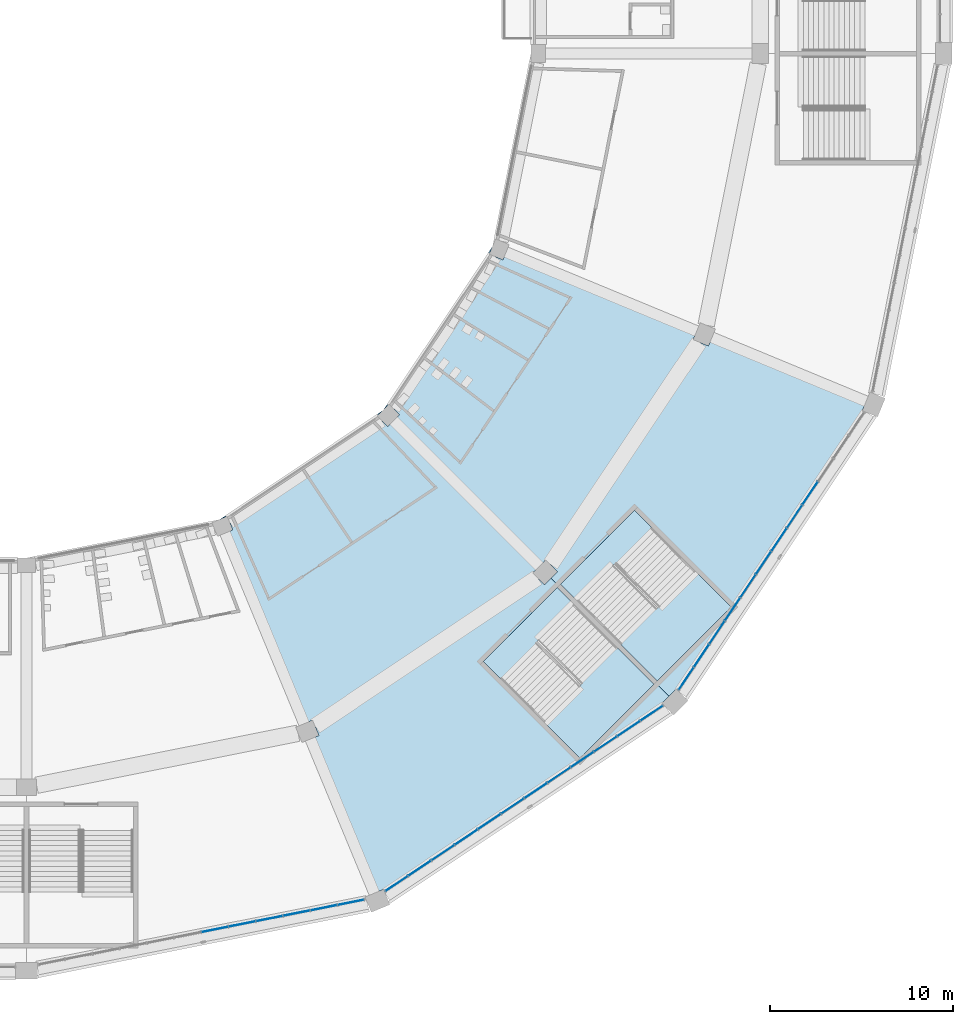
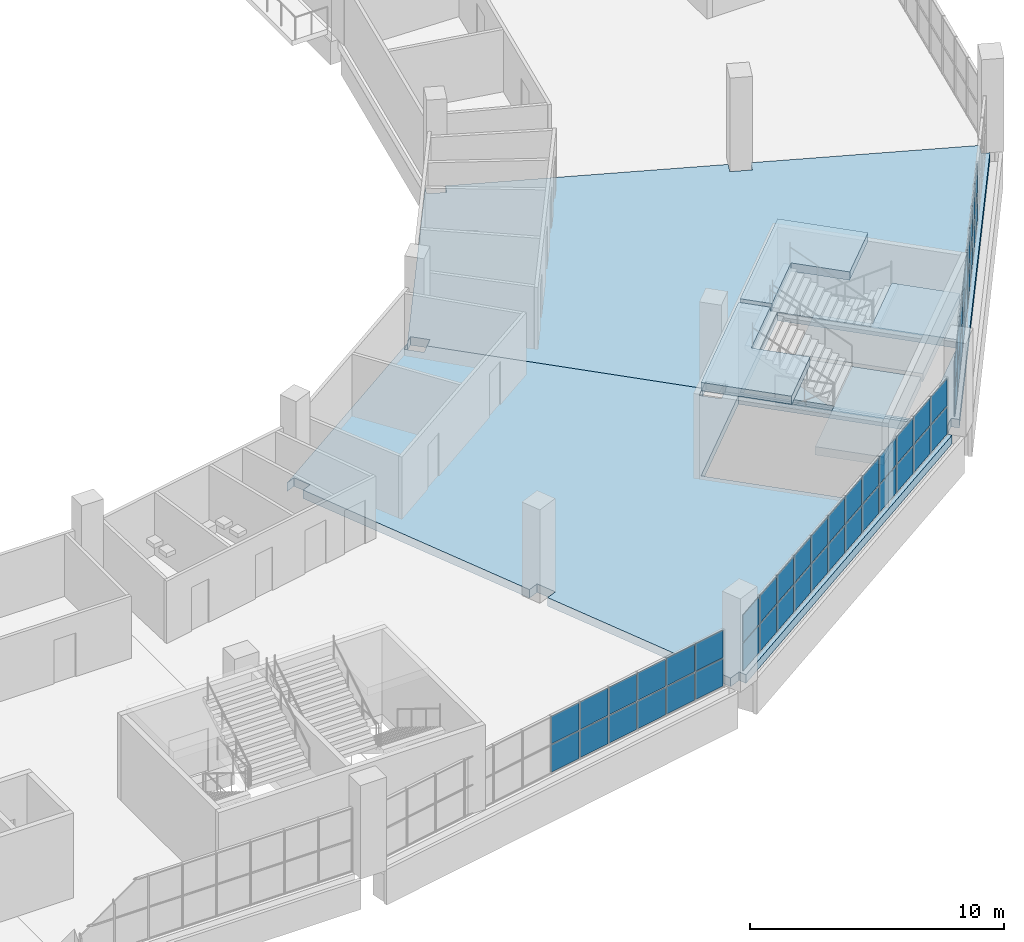
# One storey, part 62 of 199: 54 plates, 6 slabs, 5 elements without a shape of their own.
"""IFC4 building model written with IfcOpenShell, lengths in metres."""

from ifc_helpers import new_model, si_unit, direction, frame, origin, origin_2d, place, context, subcontext, project, spatial, polyline, rectangle, outline, extrude, material, layer, layer_set, type_object, element, aggregate, save


model = new_model("IFC4")

# Units and contexts
model_context = context("Model", 3, precision=1e-05, world=origin(), true_north=direction((0.0, 1.0)))
body_context = subcontext(model_context, "Body", "Model", "MODEL_VIEW")
ifc_project = project(units=[si_unit("LENGTHUNIT", "METRE"), si_unit("AREAUNIT", "SQUARE_METRE"), si_unit("VOLUMEUNIT", "CUBIC_METRE"), si_unit("PLANEANGLEUNIT", "RADIAN"), si_unit("MASSUNIT", "GRAM", prefix="KILO")], contexts=[model_context])

# Site, building, storey
site_placement = place(None, origin())
site = spatial("IfcSite", under=ifc_project, at=site_placement, CompositionType="ELEMENT")
building_placement = place(site_placement, origin())
building = spatial("IfcBuilding", under=site, at=building_placement, Name="Ogive Plaza Stadium", CompositionType="ELEMENT")
storey_placement = place(building_placement, frame((0.0, 0.0, 9.0)))
storey = spatial("IfcBuildingStorey", under=building, at=storey_placement, Name="L02", CompositionType="ELEMENT", Elevation=9.0)

# Curtain wall, plates
ifc_material_1 = material(Name="Bronze-anodised aluminium with laminated glass", Category="aluminium")
curtain_wall_type = type_object("IfcCurtainWallType", Name="Lancet curtain wall", PredefinedType="NOTDEFINED", material=ifc_material_1)
curtain_wall_1_placement = place(storey_placement, origin())
curtain_wall_1 = element("IfcCurtainWall", 1, at=curtain_wall_1_placement, inside=storey, type_object=curtain_wall_type, Name="CURTAIN WALL B09 L02", PredefinedType="NOTDEFINED")
ifc_material_2 = material(Name="Laminated glass", Category="glass")
ifc_layer_1 = layer(ifc_material_2, 0.028076171875)
ifc_layer_set_1 = layer_set([ifc_layer_1], Name="Laminated glass panel 28")
plate_type = type_object("IfcPlateType", Name="Laminated glass panel 28", PredefinedType="CURTAIN_PANEL", material=ifc_layer_set_1)
plate_1_placement = place(storey_placement, frame((76.722900390625, -76.46923828125, 0.0498046875), z_axis=(0.0, 0.0, 1.0), x_axis=(-0.55557023302, -0.831469612303, 0.0)))
plate_1 = element("IfcPlate", 2, at=plate_1_placement, type_object=plate_type, Name="CW-B09-L02 panel 4.1", PredefinedType="CURTAIN_PANEL", context=body_context, shape_type="SweptSolid", body=[
    extrude(rectangle(XDim=1.472412109375, YDim=0.028076171875, at=origin_2d()), origin(), (0.0, 0.0, 1.0), 1.320068359375),
])
plate_2_placement = place(storey_placement, frame((76.722900390625, -76.46923828125, 1.419921875), z_axis=(0.0, 0.0, 1.0), x_axis=(-0.55557023302, -0.831469612303, 0.0)))
plate_2 = element("IfcPlate", 3, at=plate_2_placement, type_object=plate_type, Name="CW-B09-L02 panel 4.2", PredefinedType="CURTAIN_PANEL", context=body_context, shape_type="SweptSolid", body=[
    extrude(rectangle(XDim=1.472412109375, YDim=0.028076171875, at=origin_2d()), origin(), (0.0, 0.0, 1.0), 1.320068359375),
])
plate_3_placement = place(storey_placement, frame((75.876953125, -77.73486328125, 0.0498046875), z_axis=(0.0, 0.0, 1.0), x_axis=(-0.55557023302, -0.831469612303, 0.0)))
plate_3 = element("IfcPlate", 4, at=plate_3_placement, type_object=plate_type, Name="CW-B09-L02 panel 5.1", PredefinedType="CURTAIN_PANEL", context=body_context, shape_type="SweptSolid", body=[
    extrude(rectangle(XDim=1.472412109375, YDim=0.028076171875, at=origin_2d()), origin(), (0.0, 0.0, 1.0), 1.320068359375),
])
plate_4_placement = place(storey_placement, frame((75.876953125, -77.73486328125, 1.419921875), z_axis=(0.0, 0.0, 1.0), x_axis=(-0.55557023302, -0.831469612303, 0.0)))
plate_4 = element("IfcPlate", 5, at=plate_4_placement, type_object=plate_type, Name="CW-B09-L02 panel 5.2", PredefinedType="CURTAIN_PANEL", context=body_context, shape_type="SweptSolid", body=[
    extrude(rectangle(XDim=1.472412109375, YDim=0.028076171875, at=origin_2d()), origin(), (0.0, 0.0, 1.0), 1.320068359375),
])
plate_5_placement = place(storey_placement, frame((75.03125, -79.000732421875, 0.0498046875), z_axis=(0.0, 0.0, 1.0), x_axis=(-0.55557023302, -0.831469612303, 0.0)))
plate_5 = element("IfcPlate", 6, at=plate_5_placement, type_object=plate_type, Name="CW-B09-L02 panel 6.1", PredefinedType="CURTAIN_PANEL", context=body_context, shape_type="SweptSolid", body=[
    extrude(rectangle(XDim=1.472412109375, YDim=0.028076171875, at=origin_2d()), origin(), (0.0, 0.0, 1.0), 1.320068359375),
])
plate_6_placement = place(storey_placement, frame((75.03125, -79.000732421875, 1.419921875), z_axis=(0.0, 0.0, 1.0), x_axis=(-0.55557023302, -0.831469612303, 0.0)))
plate_6 = element("IfcPlate", 7, at=plate_6_placement, type_object=plate_type, Name="CW-B09-L02 panel 6.2", PredefinedType="CURTAIN_PANEL", context=body_context, shape_type="SweptSolid", body=[
    extrude(rectangle(XDim=1.472412109375, YDim=0.028076171875, at=origin_2d()), origin(), (0.0, 0.0, 1.0), 1.320068359375),
])
plate_7_placement = place(storey_placement, frame((74.185546875, -80.2666015625, 0.0498046875), z_axis=(0.0, 0.0, 1.0), x_axis=(-0.55557023302, -0.831469612303, 0.0)))
plate_7 = element("IfcPlate", 8, at=plate_7_placement, type_object=plate_type, Name="CW-B09-L02 panel 7.1", PredefinedType="CURTAIN_PANEL", context=body_context, shape_type="SweptSolid", body=[
    extrude(rectangle(XDim=1.472412109375, YDim=0.028076171875, at=origin_2d()), origin(), (0.0, 0.0, 1.0), 1.320068359375),
])
plate_8_placement = place(storey_placement, frame((74.185546875, -80.2666015625, 1.419921875), z_axis=(0.0, 0.0, 1.0), x_axis=(-0.55557023302, -0.831469612303, 0.0)))
plate_8 = element("IfcPlate", 9, at=plate_8_placement, type_object=plate_type, Name="CW-B09-L02 panel 7.2", PredefinedType="CURTAIN_PANEL", context=body_context, shape_type="SweptSolid", body=[
    extrude(rectangle(XDim=1.472412109375, YDim=0.028076171875, at=origin_2d()), origin(), (0.0, 0.0, 1.0), 1.320068359375),
])
plate_9_placement = place(storey_placement, frame((73.339599609375, -81.5322265625, 0.0498046875), z_axis=(0.0, 0.0, 1.0), x_axis=(-0.55557023302, -0.831469612303, 0.0)))
plate_9 = element("IfcPlate", 10, at=plate_9_placement, type_object=plate_type, Name="CW-B09-L02 panel 8.1", PredefinedType="CURTAIN_PANEL", context=body_context, shape_type="SweptSolid", body=[
    extrude(rectangle(XDim=1.472412109375, YDim=0.028076171875, at=origin_2d()), origin(), (0.0, 0.0, 1.0), 1.320068359375),
])
plate_10_placement = place(storey_placement, frame((73.339599609375, -81.5322265625, 1.419921875), z_axis=(0.0, 0.0, 1.0), x_axis=(-0.55557023302, -0.831469612303, 0.0)))
plate_10 = element("IfcPlate", 11, at=plate_10_placement, type_object=plate_type, Name="CW-B09-L02 panel 8.2", PredefinedType="CURTAIN_PANEL", context=body_context, shape_type="SweptSolid", body=[
    extrude(rectangle(XDim=1.472412109375, YDim=0.028076171875, at=origin_2d()), origin(), (0.0, 0.0, 1.0), 1.320068359375),
])
plate_11_placement = place(storey_placement, frame((72.493896484375, -82.798095703125, 0.0498046875), z_axis=(0.0, 0.0, 1.0), x_axis=(-0.55557023302, -0.831469612303, 0.0)))
plate_11 = element("IfcPlate", 12, at=plate_11_placement, type_object=plate_type, Name="CW-B09-L02 panel 9.1", PredefinedType="CURTAIN_PANEL", context=body_context, shape_type="SweptSolid", body=[
    extrude(rectangle(XDim=1.472412109375, YDim=0.028076171875, at=origin_2d()), origin(), (0.0, 0.0, 1.0), 1.320068359375),
])
plate_12_placement = place(storey_placement, frame((72.493896484375, -82.798095703125, 1.419921875), z_axis=(0.0, 0.0, 1.0), x_axis=(-0.55557023302, -0.831469612303, 0.0)))
plate_12 = element("IfcPlate", 13, at=plate_12_placement, type_object=plate_type, Name="CW-B09-L02 panel 9.2", PredefinedType="CURTAIN_PANEL", context=body_context, shape_type="SweptSolid", body=[
    extrude(rectangle(XDim=1.472412109375, YDim=0.028076171875, at=origin_2d()), origin(), (0.0, 0.0, 1.0), 1.320068359375),
])
plate_13_placement = place(storey_placement, frame((71.648193359375, -84.06396484375, 0.0498046875), z_axis=(0.0, 0.0, 1.0), x_axis=(-0.55557023302, -0.831469612303, 0.0)))
plate_13 = element("IfcPlate", 14, at=plate_13_placement, type_object=plate_type, Name="CW-B09-L02 panel 10.1", PredefinedType="CURTAIN_PANEL", context=body_context, shape_type="SweptSolid", body=[
    extrude(rectangle(XDim=1.472412109375, YDim=0.028076171875, at=origin_2d()), origin(), (0.0, 0.0, 1.0), 1.320068359375),
])
plate_14_placement = place(storey_placement, frame((71.648193359375, -84.06396484375, 1.419921875), z_axis=(0.0, 0.0, 1.0), x_axis=(-0.55557023302, -0.831469612303, 0.0)))
plate_14 = element("IfcPlate", 15, at=plate_14_placement, type_object=plate_type, Name="CW-B09-L02 panel 10.2", PredefinedType="CURTAIN_PANEL", context=body_context, shape_type="SweptSolid", body=[
    extrude(rectangle(XDim=1.472412109375, YDim=0.028076171875, at=origin_2d()), origin(), (0.0, 0.0, 1.0), 1.320068359375),
])
plate_15_placement = place(storey_placement, frame((70.802490234375, -85.32958984375, 0.0498046875), z_axis=(0.0, 0.0, 1.0), x_axis=(-0.55557023302, -0.831469612303, 0.0)))
plate_15 = element("IfcPlate", 16, at=plate_15_placement, type_object=plate_type, Name="CW-B09-L02 panel 11.1", PredefinedType="CURTAIN_PANEL", context=body_context, shape_type="SweptSolid", body=[
    extrude(rectangle(XDim=1.472412109375, YDim=0.028076171875, at=origin_2d()), origin(), (0.0, 0.0, 1.0), 1.320068359375),
])
plate_16_placement = place(storey_placement, frame((70.802490234375, -85.32958984375, 1.419921875), z_axis=(0.0, 0.0, 1.0), x_axis=(-0.55557023302, -0.831469612303, 0.0)))
plate_16 = element("IfcPlate", 17, at=plate_16_placement, type_object=plate_type, Name="CW-B09-L02 panel 11.2", PredefinedType="CURTAIN_PANEL", context=body_context, shape_type="SweptSolid", body=[
    extrude(rectangle(XDim=1.472412109375, YDim=0.028076171875, at=origin_2d()), origin(), (0.0, 0.0, 1.0), 1.320068359375),
])
plate_17_placement = place(storey_placement, frame((69.963623046875, -86.5849609375, 0.0498046875), z_axis=(0.0, 0.0, 1.0), x_axis=(-0.55557023302, -0.831469612303, 0.0)))
plate_17 = element("IfcPlate", 18, at=plate_17_placement, type_object=plate_type, Name="CW-B09-L02 panel 12.1", PredefinedType="CURTAIN_PANEL", context=body_context, shape_type="SweptSolid", body=[
    extrude(rectangle(XDim=1.447265625, YDim=0.028076171875, at=origin_2d()), origin(), (0.0, 0.0, 1.0), 1.320068359375),
])
plate_18_placement = place(storey_placement, frame((69.963623046875, -86.5849609375, 1.419921875), z_axis=(0.0, 0.0, 1.0), x_axis=(-0.55557023302, -0.831469612303, 0.0)))
plate_18 = element("IfcPlate", 19, at=plate_18_placement, type_object=plate_type, Name="CW-B09-L02 panel 12.2", PredefinedType="CURTAIN_PANEL", context=body_context, shape_type="SweptSolid", body=[
    extrude(rectangle(XDim=1.447265625, YDim=0.028076171875, at=origin_2d()), origin(), (0.0, 0.0, 1.0), 1.320068359375),
])
aggregate(curtain_wall_1, [plate_1, plate_2, plate_3, plate_4, plate_5, plate_6, plate_7, plate_8, plate_9, plate_10, plate_11, plate_12, plate_13, plate_14, plate_15, plate_16, plate_17, plate_18])

curtain_wall_2_placement = place(storey_placement, origin())
curtain_wall_2 = element("IfcCurtainWall", 20, at=curtain_wall_2_placement, inside=storey, type_object=curtain_wall_type, Name="CURTAIN WALL B10 L02", PredefinedType="NOTDEFINED")
plate_19_placement = place(storey_placement, frame((68.0849609375, -88.463623046875, 0.0498046875), z_axis=(0.0, 0.0, 1.0), x_axis=(-0.831469612303, -0.55557023302, 0.0)))
plate_19 = element("IfcPlate", 21, at=plate_19_placement, type_object=plate_type, Name="CW-B10-L02 panel 1.1", PredefinedType="CURTAIN_PANEL", context=body_context, shape_type="SweptSolid", body=[
    extrude(rectangle(XDim=1.447265625, YDim=0.028076171875, at=origin_2d()), origin(), (0.0, 0.0, 1.0), 1.320068359375),
])
plate_20_placement = place(storey_placement, frame((68.0849609375, -88.463623046875, 1.419921875), z_axis=(0.0, 0.0, 1.0), x_axis=(-0.831469612303, -0.55557023302, 0.0)))
plate_20 = element("IfcPlate", 22, at=plate_20_placement, type_object=plate_type, Name="CW-B10-L02 panel 1.2", PredefinedType="CURTAIN_PANEL", context=body_context, shape_type="SweptSolid", body=[
    extrude(rectangle(XDim=1.447265625, YDim=0.028076171875, at=origin_2d()), origin(), (0.0, 0.0, 1.0), 1.320068359375),
])
plate_21_placement = place(storey_placement, frame((66.82958984375, -89.302490234375, 0.0498046875), z_axis=(0.0, 0.0, 1.0), x_axis=(-0.831469612303, -0.55557023302, 0.0)))
plate_21 = element("IfcPlate", 23, at=plate_21_placement, type_object=plate_type, Name="CW-B10-L02 panel 2.1", PredefinedType="CURTAIN_PANEL", context=body_context, shape_type="SweptSolid", body=[
    extrude(rectangle(XDim=1.472412109375, YDim=0.028076171875, at=origin_2d()), origin(), (0.0, 0.0, 1.0), 1.320068359375),
])
plate_22_placement = place(storey_placement, frame((66.82958984375, -89.302490234375, 1.419921875), z_axis=(0.0, 0.0, 1.0), x_axis=(-0.831469612303, -0.55557023302, 0.0)))
plate_22 = element("IfcPlate", 24, at=plate_22_placement, type_object=plate_type, Name="CW-B10-L02 panel 2.2", PredefinedType="CURTAIN_PANEL", context=body_context, shape_type="SweptSolid", body=[
    extrude(rectangle(XDim=1.472412109375, YDim=0.028076171875, at=origin_2d()), origin(), (0.0, 0.0, 1.0), 1.320068359375),
])
plate_23_placement = place(storey_placement, frame((65.56396484375, -90.148193359375, 0.0498046875), z_axis=(0.0, 0.0, 1.0), x_axis=(-0.831469612303, -0.55557023302, 0.0)))
plate_23 = element("IfcPlate", 25, at=plate_23_placement, type_object=plate_type, Name="CW-B10-L02 panel 3.1", PredefinedType="CURTAIN_PANEL", context=body_context, shape_type="SweptSolid", body=[
    extrude(rectangle(XDim=1.472412109375, YDim=0.028076171875, at=origin_2d()), origin(), (0.0, 0.0, 1.0), 1.320068359375),
])
plate_24_placement = place(storey_placement, frame((65.56396484375, -90.148193359375, 1.419921875), z_axis=(0.0, 0.0, 1.0), x_axis=(-0.831469612303, -0.55557023302, 0.0)))
plate_24 = element("IfcPlate", 26, at=plate_24_placement, type_object=plate_type, Name="CW-B10-L02 panel 3.2", PredefinedType="CURTAIN_PANEL", context=body_context, shape_type="SweptSolid", body=[
    extrude(rectangle(XDim=1.472412109375, YDim=0.028076171875, at=origin_2d()), origin(), (0.0, 0.0, 1.0), 1.320068359375),
])
plate_25_placement = place(storey_placement, frame((64.298095703125, -90.993896484375, 0.0498046875), z_axis=(0.0, 0.0, 1.0), x_axis=(-0.831469612303, -0.55557023302, 0.0)))
plate_25 = element("IfcPlate", 27, at=plate_25_placement, type_object=plate_type, Name="CW-B10-L02 panel 4.1", PredefinedType="CURTAIN_PANEL", context=body_context, shape_type="SweptSolid", body=[
    extrude(rectangle(XDim=1.472412109375, YDim=0.028076171875, at=origin_2d()), origin(), (0.0, 0.0, 1.0), 1.320068359375),
])
plate_26_placement = place(storey_placement, frame((64.298095703125, -90.993896484375, 1.419921875), z_axis=(0.0, 0.0, 1.0), x_axis=(-0.831469612303, -0.55557023302, 0.0)))
plate_26 = element("IfcPlate", 28, at=plate_26_placement, type_object=plate_type, Name="CW-B10-L02 panel 4.2", PredefinedType="CURTAIN_PANEL", context=body_context, shape_type="SweptSolid", body=[
    extrude(rectangle(XDim=1.472412109375, YDim=0.028076171875, at=origin_2d()), origin(), (0.0, 0.0, 1.0), 1.320068359375),
])
plate_27_placement = place(storey_placement, frame((63.0322265625, -91.839599609375, 0.0498046875), z_axis=(0.0, 0.0, 1.0), x_axis=(-0.831469612303, -0.55557023302, 0.0)))
plate_27 = element("IfcPlate", 29, at=plate_27_placement, type_object=plate_type, Name="CW-B10-L02 panel 5.1", PredefinedType="CURTAIN_PANEL", context=body_context, shape_type="SweptSolid", body=[
    extrude(rectangle(XDim=1.472412109375, YDim=0.028076171875, at=origin_2d()), origin(), (0.0, 0.0, 1.0), 1.320068359375),
])
plate_28_placement = place(storey_placement, frame((63.0322265625, -91.839599609375, 1.419921875), z_axis=(0.0, 0.0, 1.0), x_axis=(-0.831469612303, -0.55557023302, 0.0)))
plate_28 = element("IfcPlate", 30, at=plate_28_placement, type_object=plate_type, Name="CW-B10-L02 panel 5.2", PredefinedType="CURTAIN_PANEL", context=body_context, shape_type="SweptSolid", body=[
    extrude(rectangle(XDim=1.472412109375, YDim=0.028076171875, at=origin_2d()), origin(), (0.0, 0.0, 1.0), 1.320068359375),
])
plate_29_placement = place(storey_placement, frame((61.7666015625, -92.685546875, 0.0498046875), z_axis=(0.0, 0.0, 1.0), x_axis=(-0.831469612303, -0.55557023302, 0.0)))
plate_29 = element("IfcPlate", 31, at=plate_29_placement, type_object=plate_type, Name="CW-B10-L02 panel 6.1", PredefinedType="CURTAIN_PANEL", context=body_context, shape_type="SweptSolid", body=[
    extrude(rectangle(XDim=1.472412109375, YDim=0.028076171875, at=origin_2d()), origin(), (0.0, 0.0, 1.0), 1.320068359375),
])
plate_30_placement = place(storey_placement, frame((61.7666015625, -92.685546875, 1.419921875), z_axis=(0.0, 0.0, 1.0), x_axis=(-0.831469612303, -0.55557023302, 0.0)))
plate_30 = element("IfcPlate", 32, at=plate_30_placement, type_object=plate_type, Name="CW-B10-L02 panel 6.2", PredefinedType="CURTAIN_PANEL", context=body_context, shape_type="SweptSolid", body=[
    extrude(rectangle(XDim=1.472412109375, YDim=0.028076171875, at=origin_2d()), origin(), (0.0, 0.0, 1.0), 1.320068359375),
])
plate_31_placement = place(storey_placement, frame((60.500732421875, -93.53125, 0.0498046875), z_axis=(0.0, 0.0, 1.0), x_axis=(-0.831469612303, -0.55557023302, 0.0)))
plate_31 = element("IfcPlate", 33, at=plate_31_placement, type_object=plate_type, Name="CW-B10-L02 panel 7.1", PredefinedType="CURTAIN_PANEL", context=body_context, shape_type="SweptSolid", body=[
    extrude(rectangle(XDim=1.472412109375, YDim=0.028076171875, at=origin_2d()), origin(), (0.0, 0.0, 1.0), 1.320068359375),
])
plate_32_placement = place(storey_placement, frame((60.500732421875, -93.53125, 1.419921875), z_axis=(0.0, 0.0, 1.0), x_axis=(-0.831469612303, -0.55557023302, 0.0)))
plate_32 = element("IfcPlate", 34, at=plate_32_placement, type_object=plate_type, Name="CW-B10-L02 panel 7.2", PredefinedType="CURTAIN_PANEL", context=body_context, shape_type="SweptSolid", body=[
    extrude(rectangle(XDim=1.472412109375, YDim=0.028076171875, at=origin_2d()), origin(), (0.0, 0.0, 1.0), 1.320068359375),
])
plate_33_placement = place(storey_placement, frame((59.23486328125, -94.376953125, 0.0498046875), z_axis=(0.0, 0.0, 1.0), x_axis=(-0.831469612303, -0.55557023302, 0.0)))
plate_33 = element("IfcPlate", 35, at=plate_33_placement, type_object=plate_type, Name="CW-B10-L02 panel 8.1", PredefinedType="CURTAIN_PANEL", context=body_context, shape_type="SweptSolid", body=[
    extrude(rectangle(XDim=1.472412109375, YDim=0.028076171875, at=origin_2d()), origin(), (0.0, 0.0, 1.0), 1.320068359375),
])
plate_34_placement = place(storey_placement, frame((59.23486328125, -94.376953125, 1.419921875), z_axis=(0.0, 0.0, 1.0), x_axis=(-0.831469612303, -0.55557023302, 0.0)))
plate_34 = element("IfcPlate", 36, at=plate_34_placement, type_object=plate_type, Name="CW-B10-L02 panel 8.2", PredefinedType="CURTAIN_PANEL", context=body_context, shape_type="SweptSolid", body=[
    extrude(rectangle(XDim=1.472412109375, YDim=0.028076171875, at=origin_2d()), origin(), (0.0, 0.0, 1.0), 1.320068359375),
])
plate_35_placement = place(storey_placement, frame((57.96923828125, -95.222900390625, 0.0498046875), z_axis=(0.0, 0.0, 1.0), x_axis=(-0.831469612303, -0.55557023302, 0.0)))
plate_35 = element("IfcPlate", 37, at=plate_35_placement, type_object=plate_type, Name="CW-B10-L02 panel 9.1", PredefinedType="CURTAIN_PANEL", context=body_context, shape_type="SweptSolid", body=[
    extrude(rectangle(XDim=1.472412109375, YDim=0.028076171875, at=origin_2d()), origin(), (0.0, 0.0, 1.0), 1.320068359375),
])
plate_36_placement = place(storey_placement, frame((57.96923828125, -95.222900390625, 1.419921875), z_axis=(0.0, 0.0, 1.0), x_axis=(-0.831469612303, -0.55557023302, 0.0)))
plate_36 = element("IfcPlate", 38, at=plate_36_placement, type_object=plate_type, Name="CW-B10-L02 panel 9.2", PredefinedType="CURTAIN_PANEL", context=body_context, shape_type="SweptSolid", body=[
    extrude(rectangle(XDim=1.472412109375, YDim=0.028076171875, at=origin_2d()), origin(), (0.0, 0.0, 1.0), 1.320068359375),
])
plate_37_placement = place(storey_placement, frame((56.703369140625, -96.068603515625, 0.0498046875), z_axis=(0.0, 0.0, 1.0), x_axis=(-0.831469612303, -0.55557023302, 0.0)))
plate_37 = element("IfcPlate", 39, at=plate_37_placement, type_object=plate_type, Name="CW-B10-L02 panel 10.1", PredefinedType="CURTAIN_PANEL", context=body_context, shape_type="SweptSolid", body=[
    extrude(rectangle(XDim=1.472412109375, YDim=0.028076171875, at=origin_2d()), origin(), (0.0, 0.0, 1.0), 1.320068359375),
])
plate_38_placement = place(storey_placement, frame((56.703369140625, -96.068603515625, 1.419921875), z_axis=(0.0, 0.0, 1.0), x_axis=(-0.831469612303, -0.55557023302, 0.0)))
plate_38 = element("IfcPlate", 40, at=plate_38_placement, type_object=plate_type, Name="CW-B10-L02 panel 10.2", PredefinedType="CURTAIN_PANEL", context=body_context, shape_type="SweptSolid", body=[
    extrude(rectangle(XDim=1.472412109375, YDim=0.028076171875, at=origin_2d()), origin(), (0.0, 0.0, 1.0), 1.320068359375),
])
plate_39_placement = place(storey_placement, frame((55.4375, -96.914306640625, 0.0498046875), z_axis=(0.0, 0.0, 1.0), x_axis=(-0.831469612303, -0.55557023302, 0.0)))
plate_39 = element("IfcPlate", 41, at=plate_39_placement, type_object=plate_type, Name="CW-B10-L02 panel 11.1", PredefinedType="CURTAIN_PANEL", context=body_context, shape_type="SweptSolid", body=[
    extrude(rectangle(XDim=1.472412109375, YDim=0.028076171875, at=origin_2d()), origin(), (0.0, 0.0, 1.0), 1.320068359375),
])
plate_40_placement = place(storey_placement, frame((55.4375, -96.914306640625, 1.419921875), z_axis=(0.0, 0.0, 1.0), x_axis=(-0.831469612303, -0.55557023302, 0.0)))
plate_40 = element("IfcPlate", 42, at=plate_40_placement, type_object=plate_type, Name="CW-B10-L02 panel 11.2", PredefinedType="CURTAIN_PANEL", context=body_context, shape_type="SweptSolid", body=[
    extrude(rectangle(XDim=1.472412109375, YDim=0.028076171875, at=origin_2d()), origin(), (0.0, 0.0, 1.0), 1.320068359375),
])
plate_41_placement = place(storey_placement, frame((54.18212890625, -97.753173828125, 0.0498046875), z_axis=(0.0, 0.0, 1.0), x_axis=(-0.831469612303, -0.55557023302, 0.0)))
plate_41 = element("IfcPlate", 43, at=plate_41_placement, type_object=plate_type, Name="CW-B10-L02 panel 12.1", PredefinedType="CURTAIN_PANEL", context=body_context, shape_type="SweptSolid", body=[
    extrude(rectangle(XDim=1.447265625, YDim=0.028076171875, at=origin_2d()), origin(), (0.0, 0.0, 1.0), 1.320068359375),
])
plate_42_placement = place(storey_placement, frame((54.18212890625, -97.753173828125, 1.419921875), z_axis=(0.0, 0.0, 1.0), x_axis=(-0.831469612303, -0.55557023302, 0.0)))
plate_42 = element("IfcPlate", 44, at=plate_42_placement, type_object=plate_type, Name="CW-B10-L02 panel 12.2", PredefinedType="CURTAIN_PANEL", context=body_context, shape_type="SweptSolid", body=[
    extrude(rectangle(XDim=1.447265625, YDim=0.028076171875, at=origin_2d()), origin(), (0.0, 0.0, 1.0), 1.320068359375),
])
aggregate(curtain_wall_2, [plate_19, plate_20, plate_21, plate_22, plate_23, plate_24, plate_25, plate_26, plate_27, plate_28, plate_29, plate_30, plate_31, plate_32, plate_33, plate_34, plate_35, plate_36, plate_37, plate_38, plate_39, plate_40, plate_41, plate_42])

curtain_wall_3_placement = place(storey_placement, origin())
curtain_wall_3 = element("IfcCurtainWall", 45, at=curtain_wall_3_placement, inside=storey, type_object=curtain_wall_type, Name="CURTAIN WALL B11 L02", PredefinedType="NOTDEFINED")
plate_43_placement = place(storey_placement, frame((51.681884765625, -98.77880859375, 0.0498046875), z_axis=(0.0, 0.0, 1.0), x_axis=(-0.980785280403, -0.195090322016, 0.0)))
plate_43 = element("IfcPlate", 46, at=plate_43_placement, type_object=plate_type, Name="CW-B11-L02 panel 1.1", PredefinedType="CURTAIN_PANEL", context=body_context, shape_type="SweptSolid", body=[
    extrude(rectangle(XDim=1.43896484375, YDim=0.028076171875, at=origin_2d()), origin(), (0.0, 0.0, 1.0), 1.320068359375),
])
plate_44_placement = place(storey_placement, frame((51.681884765625, -98.77880859375, 1.419921875), z_axis=(0.0, 0.0, 1.0), x_axis=(-0.980785280403, -0.195090322016, 0.0)))
plate_44 = element("IfcPlate", 47, at=plate_44_placement, type_object=plate_type, Name="CW-B11-L02 panel 1.2", PredefinedType="CURTAIN_PANEL", context=body_context, shape_type="SweptSolid", body=[
    extrude(rectangle(XDim=1.43896484375, YDim=0.028076171875, at=origin_2d()), origin(), (0.0, 0.0, 1.0), 1.320068359375),
])
plate_45_placement = place(storey_placement, frame((50.20947265625, -99.07177734375, 0.0498046875), z_axis=(0.0, 0.0, 1.0), x_axis=(-0.980785280403, -0.195090322016, 0.0)))
plate_45 = element("IfcPlate", 48, at=plate_45_placement, type_object=plate_type, Name="CW-B11-L02 panel 2.1", PredefinedType="CURTAIN_PANEL", context=body_context, shape_type="SweptSolid", body=[
    extrude(rectangle(XDim=1.4638671875, YDim=0.028076171875, at=origin_2d()), origin(), (0.0, 0.0, 1.0), 1.320068359375),
])
plate_46_placement = place(storey_placement, frame((50.20947265625, -99.07177734375, 1.419921875), z_axis=(0.0, 0.0, 1.0), x_axis=(-0.980785280403, -0.195090322016, 0.0)))
plate_46 = element("IfcPlate", 49, at=plate_46_placement, type_object=plate_type, Name="CW-B11-L02 panel 2.2", PredefinedType="CURTAIN_PANEL", context=body_context, shape_type="SweptSolid", body=[
    extrude(rectangle(XDim=1.4638671875, YDim=0.028076171875, at=origin_2d()), origin(), (0.0, 0.0, 1.0), 1.320068359375),
])
plate_47_placement = place(storey_placement, frame((48.724609375, -99.3671875, 0.0498046875), z_axis=(0.0, 0.0, 1.0), x_axis=(-0.980785280403, -0.195090322016, 0.0)))
plate_47 = element("IfcPlate", 50, at=plate_47_placement, type_object=plate_type, Name="CW-B11-L02 panel 3.1", PredefinedType="CURTAIN_PANEL", context=body_context, shape_type="SweptSolid", body=[
    extrude(rectangle(XDim=1.4638671875, YDim=0.028076171875, at=origin_2d()), origin(), (0.0, 0.0, 1.0), 1.320068359375),
])
plate_48_placement = place(storey_placement, frame((48.724609375, -99.3671875, 1.419921875), z_axis=(0.0, 0.0, 1.0), x_axis=(-0.980785280403, -0.195090322016, 0.0)))
plate_48 = element("IfcPlate", 51, at=plate_48_placement, type_object=plate_type, Name="CW-B11-L02 panel 3.2", PredefinedType="CURTAIN_PANEL", context=body_context, shape_type="SweptSolid", body=[
    extrude(rectangle(XDim=1.4638671875, YDim=0.028076171875, at=origin_2d()), origin(), (0.0, 0.0, 1.0), 1.320068359375),
])
plate_49_placement = place(storey_placement, frame((47.239990234375, -99.66259765625, 0.0498046875), z_axis=(0.0, 0.0, 1.0), x_axis=(-0.980785280403, -0.195090322016, 0.0)))
plate_49 = element("IfcPlate", 52, at=plate_49_placement, type_object=plate_type, Name="CW-B11-L02 panel 4.1", PredefinedType="CURTAIN_PANEL", context=body_context, shape_type="SweptSolid", body=[
    extrude(rectangle(XDim=1.4638671875, YDim=0.028076171875, at=origin_2d()), origin(), (0.0, 0.0, 1.0), 1.320068359375),
])
plate_50_placement = place(storey_placement, frame((47.239990234375, -99.66259765625, 1.419921875), z_axis=(0.0, 0.0, 1.0), x_axis=(-0.980785280403, -0.195090322016, 0.0)))
plate_50 = element("IfcPlate", 53, at=plate_50_placement, type_object=plate_type, Name="CW-B11-L02 panel 4.2", PredefinedType="CURTAIN_PANEL", context=body_context, shape_type="SweptSolid", body=[
    extrude(rectangle(XDim=1.4638671875, YDim=0.028076171875, at=origin_2d()), origin(), (0.0, 0.0, 1.0), 1.320068359375),
])
plate_51_placement = place(storey_placement, frame((45.755126953125, -99.957763671875, 0.0498046875), z_axis=(0.0, 0.0, 1.0), x_axis=(-0.980785280403, -0.195090322016, 0.0)))
plate_51 = element("IfcPlate", 54, at=plate_51_placement, type_object=plate_type, Name="CW-B11-L02 panel 5.1", PredefinedType="CURTAIN_PANEL", context=body_context, shape_type="SweptSolid", body=[
    extrude(rectangle(XDim=1.4638671875, YDim=0.028076171875, at=origin_2d()), origin(), (0.0, 0.0, 1.0), 1.320068359375),
])
plate_52_placement = place(storey_placement, frame((45.755126953125, -99.957763671875, 1.419921875), z_axis=(0.0, 0.0, 1.0), x_axis=(-0.980785280403, -0.195090322016, 0.0)))
plate_52 = element("IfcPlate", 55, at=plate_52_placement, type_object=plate_type, Name="CW-B11-L02 panel 5.2", PredefinedType="CURTAIN_PANEL", context=body_context, shape_type="SweptSolid", body=[
    extrude(rectangle(XDim=1.4638671875, YDim=0.028076171875, at=origin_2d()), origin(), (0.0, 0.0, 1.0), 1.320068359375),
])
plate_53_placement = place(storey_placement, frame((44.2705078125, -100.253173828125, 0.0498046875), z_axis=(0.0, 0.0, 1.0), x_axis=(-0.980785280403, -0.195090322016, 0.0)))
plate_53 = element("IfcPlate", 56, at=plate_53_placement, type_object=plate_type, Name="CW-B11-L02 panel 6.1", PredefinedType="CURTAIN_PANEL", context=body_context, shape_type="SweptSolid", body=[
    extrude(rectangle(XDim=1.4638671875, YDim=0.028076171875, at=origin_2d()), origin(), (0.0, 0.0, 1.0), 1.320068359375),
])
plate_54_placement = place(storey_placement, frame((44.2705078125, -100.253173828125, 1.419921875), z_axis=(0.0, 0.0, 1.0), x_axis=(-0.980785280403, -0.195090322016, 0.0)))
plate_54 = element("IfcPlate", 57, at=plate_54_placement, type_object=plate_type, Name="CW-B11-L02 panel 6.2", PredefinedType="CURTAIN_PANEL", context=body_context, shape_type="SweptSolid", body=[
    extrude(rectangle(XDim=1.4638671875, YDim=0.028076171875, at=origin_2d()), origin(), (0.0, 0.0, 1.0), 1.320068359375),
])
aggregate(curtain_wall_3, [plate_43, plate_44, plate_45, plate_46, plate_47, plate_48, plate_49, plate_50, plate_51, plate_52, plate_53, plate_54])

# Slabs
ifc_material_3 = material(Name="Concrete C40/50", Category="concrete")
ifc_layer_2 = layer(ifc_material_3, 0.409912109375)
ifc_layer_set_2 = layer_set([ifc_layer_2], Name="Concrete C40/50")
slab_type_1 = type_object("IfcSlabType", Name="RC floor slab 410", PredefinedType="FLOOR", material=ifc_layer_set_2)
slab_1_placement = place(storey_placement, frame((0.0, 0.0, -0.409912109375)))
element("IfcSlab", 58, at=slab_1_placement, inside=storey, type_object=slab_type_1, Name="Floor slab L02 B09", PredefinedType="FLOOR", context=body_context, shape_type="SweptSolid", body=[
    extrude(outline(polyline([(61.966064453125, -80.466064453125), (62.319580078125, -80.112548828125), (62.9560546875, -80.7490234375), (62.6025390625, -81.1025390625), (69.037109375, -87.537109375), (69.426025390625, -87.148193359375), (69.6669921875, -87.38916015625), (79.88232421875, -72.100341796875), (79.56787109375, -71.97021484375), (79.7783203125, -71.4619140625), (71.370849609375, -67.9794921875), (71.1796875, -68.44140625), (70.34814453125, -68.09716796875), (70.53955078125, -67.635009765625), (60.145751953125, -63.329833984375), (59.9736328125, -63.74560546875), (59.234375, -63.439453125), (59.40673828125, -63.023681640625), (53.445556640625, -71.945556640625), (53.763671875, -71.627197265625), (54.329345703125, -72.19287109375), (54.01123046875, -72.51123046875), (61.966064453125, -80.466064453125)]), holes=[polyline([(67.145751953125, -77.40771484375), (63.115234375, -81.438232421875), (68.39013671875, -86.71337890625), (72.420654296875, -82.682861328125), (67.145751953125, -77.40771484375)])]), origin(), (0.0, 0.0, 1.0), 0.409912109375),
])
slab_2_placement = place(storey_placement, frame((0.0, 0.0, -0.409912109375)))
element("IfcSlab", 59, at=slab_2_placement, inside=storey, type_object=slab_type_1, Name="Floor slab L02 B10", PredefinedType="FLOOR", context=body_context, shape_type="SweptSolid", body=[
    extrude(outline(polyline([(49.135009765625, -89.03955078125), (49.59716796875, -88.84814453125), (49.94140625, -89.6796875), (49.4794921875, -89.870849609375), (52.9619140625, -98.2783203125), (53.47021484375, -98.06787109375), (53.600341796875, -98.38232421875), (68.88916015625, -88.1669921875), (68.648193359375, -87.926025390625), (69.037109375, -87.537109375), (62.6025390625, -81.1025390625), (62.2490234375, -81.4560546875), (61.612548828125, -80.819580078125), (61.966064453125, -80.466064453125), (54.01123046875, -72.51123046875), (53.69287109375, -72.829345703125), (53.127197265625, -72.263671875), (53.445556640625, -71.945556640625), (44.523681640625, -77.90673828125), (44.939453125, -77.734375), (45.24560546875, -78.4736328125), (44.829833984375, -78.645751953125), (49.135009765625, -89.03955078125)]), holes=[polyline([(62.938232421875, -81.615234375), (58.90771484375, -85.645751953125), (64.182861328125, -90.920654296875), (68.21337890625, -86.89013671875), (62.938232421875, -81.615234375)])]), origin(), (0.0, 0.0, 1.0), 0.409912109375),
])

# Stair, slabs
ifc_material_4 = material(Name="Concrete C40/50", Category="concrete")
stair_type = type_object("IfcStairType", Name="Exit stair", PredefinedType="STRAIGHT_RUN_STAIR", material=ifc_material_4)
stair_1_placement = place(storey_placement, origin())
stair_1 = element("IfcStair", 60, at=stair_1_placement, inside=storey, type_object=stair_type, Name="Exit stair ST10A L02 to L03", PredefinedType="STRAIGHT_RUN_STAIR")
ifc_material_5 = material(Name="Concrete C40/50", Category="concrete")
ifc_layer_3 = layer(ifc_material_5, 0.39990234375)
ifc_layer_set_3 = layer_set([ifc_layer_3], Name="Concrete C40/50")
slab_type_2 = type_object("IfcSlabType", Name="Stair landing", PredefinedType="LANDING", material=ifc_layer_set_3)
slab_3_placement = place(storey_placement, frame((0.0, 0.0, 1.85009765625)))
slab_3 = element("IfcSlab", 61, at=slab_3_placement, type_object=slab_type_2, Name="ST10A landing 1", PredefinedType="LANDING", context=body_context, shape_type="SweptSolid", body=[
    extrude(outline(polyline([(68.21337890625, -86.89013671875), (64.182861328125, -90.920654296875), (62.202880859375, -88.940673828125), (64.253662109375, -86.89013671875), (62.556396484375, -85.193115234375), (64.536376953125, -83.213134765625), (66.2333984375, -84.91015625), (68.21337890625, -86.89013671875)])), origin(), (0.0, 0.0, 1.0), 0.39990234375),
])
slab_4_placement = place(storey_placement, frame((0.0, 0.0, 4.10009765625)))
slab_4 = element("IfcSlab", 62, at=slab_4_placement, type_object=slab_type_2, Name="ST10A landing 2", PredefinedType="LANDING", context=body_context, shape_type="SweptSolid", body=[
    extrude(outline(polyline([(63.504150390625, -86.281982421875), (61.524169921875, -88.261962890625), (59.8271484375, -86.56494140625), (58.90771484375, -85.645751953125), (62.938232421875, -81.615234375), (63.857666015625, -82.534423828125), (61.806884765625, -84.5849609375), (63.504150390625, -86.281982421875)])), origin(), (0.0, 0.0, 1.0), 0.39990234375),
])
aggregate(stair_1, [slab_3, slab_4])

stair_2_placement = place(storey_placement, origin())
stair_2 = element("IfcStair", 63, at=stair_2_placement, inside=storey, type_object=stair_type, Name="Exit stair ST10B L02 to L03", PredefinedType="STRAIGHT_RUN_STAIR")
slab_5_placement = place(storey_placement, frame((0.0, 0.0, 1.85009765625)))
slab_5 = element("IfcSlab", 64, at=slab_5_placement, type_object=slab_type_2, Name="ST10B landing 1", PredefinedType="LANDING", context=body_context, shape_type="SweptSolid", body=[
    extrude(outline(polyline([(64.713134765625, -83.036376953125), (66.693115234375, -81.056396484375), (68.39013671875, -82.753662109375), (70.440673828125, -80.702880859375), (72.420654296875, -82.682861328125), (68.39013671875, -86.71337890625), (66.41015625, -84.7333984375), (64.713134765625, -83.036376953125)])), origin(), (0.0, 0.0, 1.0), 0.39990234375),
])
slab_6_placement = place(storey_placement, frame((0.0, 0.0, 4.10009765625)))
slab_6 = element("IfcSlab", 65, at=slab_6_placement, type_object=slab_type_2, Name="ST10B landing 2", PredefinedType="LANDING", context=body_context, shape_type="SweptSolid", body=[
    extrude(outline(polyline([(64.034423828125, -82.357666015625), (63.115234375, -81.438232421875), (67.145751953125, -77.40771484375), (68.06494140625, -78.3271484375), (69.761962890625, -80.024169921875), (67.781982421875, -82.004150390625), (66.0849609375, -80.306884765625), (64.034423828125, -82.357666015625)])), origin(), (0.0, 0.0, 1.0), 0.39990234375),
])
aggregate(stair_2, [slab_5, slab_6])

save(model, "model.ifc")
